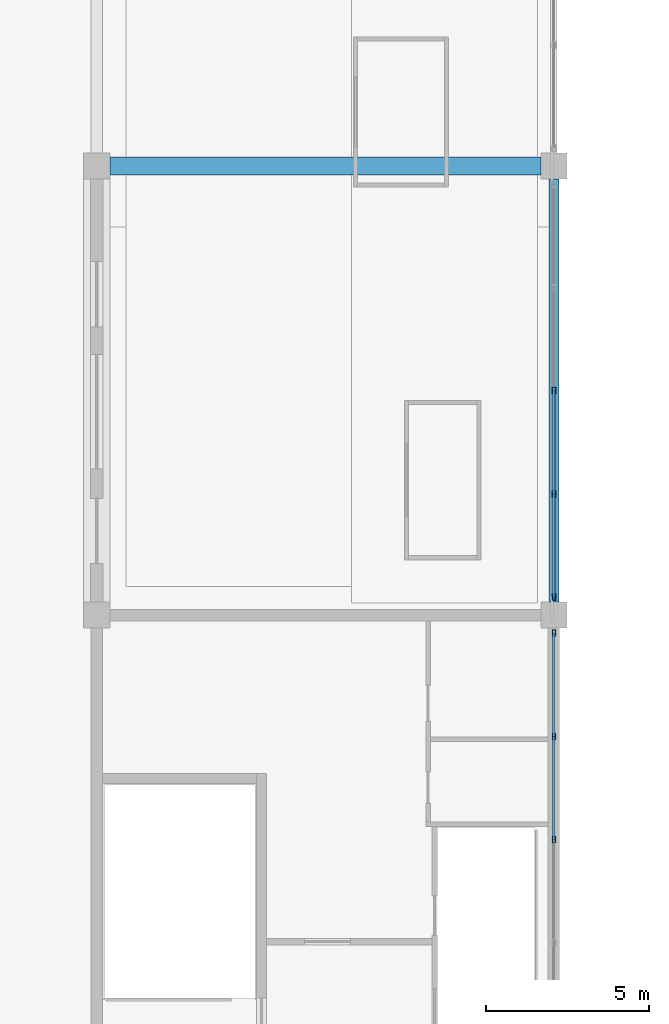
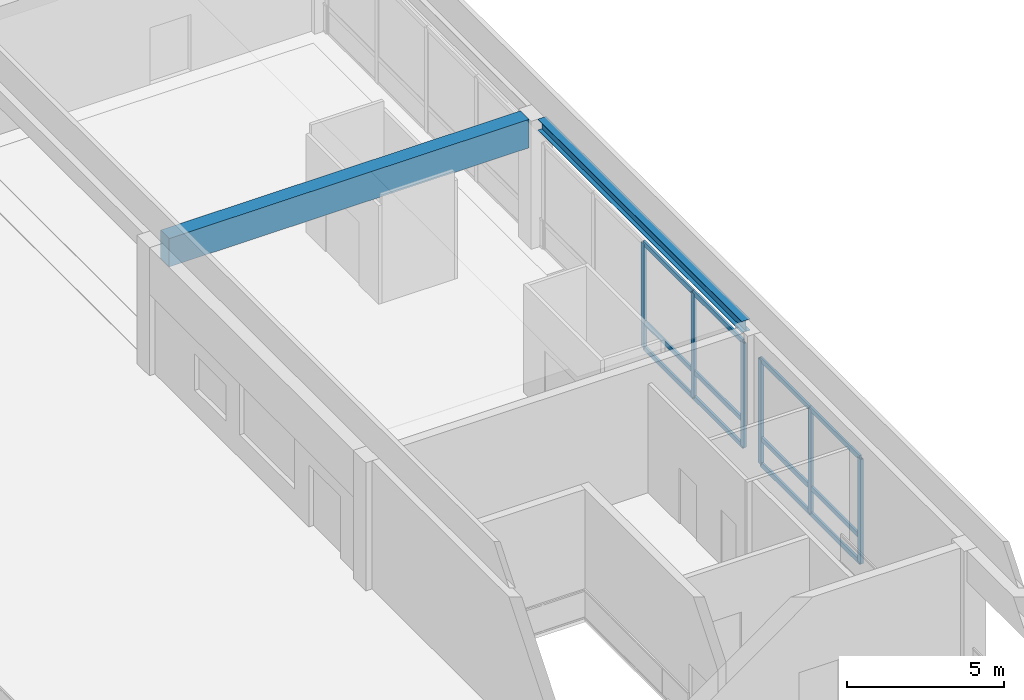
# One storey, part 16 of 113: 18 members, 2 beams, 2 elements without a shape of their own.
"""IFC4 building model written with IfcOpenShell, lengths in metres."""

import ifcopenshell
import ifcopenshell.guid

model = None  # the IFC model being written
_history = None  # IfcOwnerHistory: only IFC2X3 demands one
_inside = {}  # id of a spatial element -> (the spatial element, [elements in it])
_under = {}  # id of a project, library or spatial element -> (it, [spatial elements below it])
_declared = {}  # id of a project -> (the project, [libraries it declares])
_typed = {}  # id of a type object -> (the type object, [elements of that type])
_made_of = {}  # id of a material, layer set ... -> (it, [elements and type objects made of it])


def new_model(schema):
    """Start an empty IFC model of exactly this schema.

    Asked for "IFC4X3", IfcOpenShell would pick the latest addendum, in which some entities
    have other attributes; the version numbers below select the first issue.
    IFC2X3 requires an IfcOwnerHistory on every rooted entity: one is made here for all.
    """
    global model, _history
    if schema == "IFC4X3":
        model = ifcopenshell.file(schema_version=(4, 3, 0, 0))
    else:
        model = ifcopenshell.file(schema=schema)
    _inside.clear()
    _under.clear()
    _declared.clear()
    _typed.clear()
    _made_of.clear()
    _history = None
    if model.schema == "IFC2X3":
        org = make("IfcOrganization", Name="unknown")
        user = make(
            "IfcPersonAndOrganization",
            ThePerson=make("IfcPerson", FamilyName="unknown"),
            TheOrganization=org,
        )
        app = make(
            "IfcApplication",
            ApplicationDeveloper=org,
            Version="unknown",
            ApplicationFullName="unknown",
            ApplicationIdentifier="unknown",
        )
        _history = make(
            "IfcOwnerHistory",
            OwningUser=user,
            OwningApplication=app,
            ChangeAction="ADDED",
            CreationDate=0,
        )
    return model


def make(cls, **values):
    """One entity of the class cls with the attributes given. An attribute that is None is left unset."""
    return model.create_entity(
        cls, **{name: value for name, value in values.items() if value is not None}
    )


def rooted(cls, **values):
    """An entity with a GlobalId (a new one), such as an element, a storey or a relation."""
    return make(cls, GlobalId=ifcopenshell.guid.new(), OwnerHistory=_history, **values)


def si_unit(unit_type, name, prefix=None):
    """IfcSIUnit, for example si_unit("LENGTHUNIT", "METRE", prefix="MILLI")."""
    return make("IfcSIUnit", UnitType=unit_type, Prefix=prefix, Name=name)


def assignment(units):
    """IfcUnitAssignment: the units of a project."""
    return None if units is None else make("IfcUnitAssignment", Units=units)


def point(xyz):
    """IfcCartesianPoint."""
    return None if xyz is None else make("IfcCartesianPoint", Coordinates=xyz)


def direction(xyz):
    """IfcDirection."""
    return None if xyz is None else make("IfcDirection", DirectionRatios=xyz)


def frame(location, z_axis=None, x_axis=None):
    """IfcAxis2Placement3D, a coordinate frame: its origin and axes. An axis left out is left unset."""
    return make(
        "IfcAxis2Placement3D",
        Location=point(location),
        Axis=direction(z_axis),
        RefDirection=direction(x_axis),
    )


def frame_2d(location, x_axis=None):
    """IfcAxis2Placement2D, a coordinate frame in the plane: its origin and x axis."""
    return make(
        "IfcAxis2Placement2D", Location=point(location), RefDirection=direction(x_axis)
    )


def origin():
    """The frame at (0, 0, 0) with its axes left unset."""
    return frame((0.0, 0.0, 0.0))


def origin_2d():
    """The frame at (0, 0) in the plane with its x axis left unset."""
    return frame_2d((0.0, 0.0))


def place(relative_to, where):
    """IfcLocalPlacement: puts the frame where relative to a parent placement (None: the world)."""
    return make(
        "IfcLocalPlacement", PlacementRelTo=relative_to, RelativePlacement=where
    )


def context(
    kind, dimensions, precision=None, world=None, true_north=None, identifier=None
):
    """IfcGeometricRepresentationContext, for example the 3D "Model" context."""
    return make(
        "IfcGeometricRepresentationContext",
        ContextIdentifier=identifier,
        ContextType=kind,
        CoordinateSpaceDimension=dimensions,
        Precision=precision,
        WorldCoordinateSystem=world,
        TrueNorth=true_north,
    )


def subcontext(parent, identifier, kind, view, scale=None):
    """IfcGeometricRepresentationSubContext, for example "Body" below "Model"."""
    return make(
        "IfcGeometricRepresentationSubContext",
        ContextIdentifier=identifier,
        ContextType=kind,
        ParentContext=parent,
        TargetScale=scale,
        TargetView=view,
    )


def project(units=None, contexts=None):
    """IfcProject with its units and contexts."""
    return rooted(
        "IfcProject",
        Name="project",
        RepresentationContexts=contexts,
        UnitsInContext=assignment(units),
    )


def spatial(cls, under=None, at=None, **own):
    """A site, building, storey or space (cls), placed at a placement, below another one or the project."""
    s = rooted(cls, ObjectPlacement=at, **own)
    if under is not None:
        _under.setdefault(under.id(), (under, []))[1].append(s)
    return s


def profile(cls, at=None, kind="AREA", **sizes):
    """A parametric profile (cls). Its sizes go by their IFC names, for example OverallWidth=200.0."""
    return make(cls, ProfileType=kind, Position=at, **sizes)


def rectangle(**sizes):
    """IfcRectangleProfileDef."""
    return profile("IfcRectangleProfileDef", **sizes)


def hollow_rectangle(**sizes):
    """IfcRectangleHollowProfileDef."""
    return profile("IfcRectangleHollowProfileDef", **sizes)


def i_section(**sizes):
    """IfcIShapeProfileDef."""
    return profile("IfcIShapeProfileDef", **sizes)


def extrude(swept, where, along, depth):
    """IfcExtrudedAreaSolid: the profile swept, set in the frame where, extruded along a direction by depth."""
    return make(
        "IfcExtrudedAreaSolid",
        SweptArea=swept,
        Position=where,
        ExtrudedDirection=direction(along),
        Depth=depth,
    )


def shape(context_of_items, identifier, shape_type, items):
    """IfcShapeRepresentation: the items that make up one representation, for example the "Body"."""
    return make(
        "IfcShapeRepresentation",
        ContextOfItems=context_of_items,
        RepresentationIdentifier=identifier,
        RepresentationType=shape_type,
        Items=items,
    )


def material(Name=None, Category=None):
    """IfcMaterial."""
    return make("IfcMaterial", Name=Name, Category=Category)


def material_profile(
    of_material, cross_section, Name=None, Category=None, Priority=None
):
    """IfcMaterialProfile: a cross section and its material."""
    return make(
        "IfcMaterialProfile",
        Name=Name,
        Material=of_material,
        Profile=cross_section,
        Priority=Priority,
        Category=Category,
    )


def profile_set(profiles, Name=None, composite=None):
    """IfcMaterialProfileSet."""
    return make(
        "IfcMaterialProfileSet",
        Name=Name,
        MaterialProfiles=profiles,
        CompositeProfile=composite,
    )


def made_of(thing, what):
    """Note that an element or type object is made of a material, layer set ...; save() writes the relation."""
    if what is not None:
        _made_of.setdefault(what.id(), (what, []))[1].append(thing)
    return thing


def type_object(cls, material=None, **own):
    """A type object (cls), such as IfcWallType, which elements share."""
    return made_of(rooted(cls, **own), material)


def element(
    cls,
    number,
    at=None,
    inside=None,
    cuts=None,
    type_object=None,
    material=None,
    context=None,
    identifier="Body",
    shape_type=None,
    held_by="IfcProductDefinitionShape",
    body=None,
    shapes=None,
    **own,
):
    """One element of the class cls, such as IfcWall. Its Tag is "e" and its number.

    at: its placement. inside: the storey or other place that contains it. cuts: it is an
    opening in that element (IfcRelVoidsElement). A single representation is given by context,
    identifier, shape_type and body (its items); several are given by shapes. held_by: the class
    of the entity that holds the representations. save() writes the other relations.
    """
    e = rooted(cls, Tag="e%d" % number, ObjectPlacement=at, **own)
    if body is not None:
        shapes = [shape(context, identifier, shape_type, body)]
    if shapes is not None:
        e.Representation = make(held_by, Representations=shapes)
    if inside is not None:
        _inside.setdefault(inside.id(), (inside, []))[1].append(e)
    if cuts is not None:
        rooted(
            "IfcRelVoidsElement", RelatingBuildingElement=cuts, RelatedOpeningElement=e
        )
    if type_object is not None:
        _typed.setdefault(type_object.id(), (type_object, []))[1].append(e)
    return made_of(e, material)


def aggregate(whole, parts):
    """IfcRelAggregates: a whole, such as a stair, and the parts it consists of."""
    return rooted("IfcRelAggregates", RelatingObject=whole, RelatedObjects=parts)


def save(model, path):
    """Write the relations noted so far, then the file.

    IfcRelAggregates (storeys below a building ...), IfcRelContainedInSpatialStructure (elements
    in a storey), IfcRelDefinesByType, IfcRelAssociatesMaterial and IfcRelDeclares: one each for
    every whole, place, type object, material and project.
    """
    for whole, parts in _under.values():
        aggregate(whole, parts)
    for where, things in _inside.values():
        rooted(
            "IfcRelContainedInSpatialStructure",
            RelatedElements=things,
            RelatingStructure=where,
        )
    for kind, things in _typed.values():
        rooted("IfcRelDefinesByType", RelatedObjects=things, RelatingType=kind)
    for what, things in _made_of.values():
        rooted("IfcRelAssociatesMaterial", RelatedObjects=things, RelatingMaterial=what)
    for by, libraries in _declared.values():
        rooted("IfcRelDeclares", RelatingContext=by, RelatedDefinitions=libraries)
    model.write(path)


model = new_model("IFC4")

# Units and contexts
model_context = context("Model", 3, precision=1e-05, world=origin(), true_north=direction((0.0, 1.0)))
body_context = subcontext(model_context, "Body", "Model", "MODEL_VIEW")
ifc_project = project(units=[si_unit("LENGTHUNIT", "METRE"), si_unit("AREAUNIT", "SQUARE_METRE"), si_unit("VOLUMEUNIT", "CUBIC_METRE"), si_unit("PLANEANGLEUNIT", "RADIAN"), si_unit("MASSUNIT", "GRAM", prefix="KILO")], contexts=[model_context])

# Site, building, storey
site_placement = place(None, origin())
site = spatial("IfcSite", under=ifc_project, at=site_placement, CompositionType="ELEMENT")
building_placement = place(site_placement, origin())
building = spatial("IfcBuilding", under=site, at=building_placement, Name="Linyun Crest Stadium", CompositionType="ELEMENT")
storey_placement = place(building_placement, frame((0.0, 0.0, 26.39990234375)))
storey = spatial("IfcBuildingStorey", under=building, at=storey_placement, Name="L06", CompositionType="ELEMENT", Elevation=26.39990234375)

# Beam
ifc_material_1 = material(Name="Steel Q355C", Category="steel")
ifc_material_profile_1 = material_profile(ifc_material_1, i_section(OverallWidth=0.300048828125, OverallDepth=0.43994140625, WebThickness=0.010986328125, FlangeThickness=0.01806640625, at=origin_2d()), Name="HM 440x300")
ifc_profile_set_1 = profile_set([ifc_material_profile_1], Name="Steel Q355C")
beam_type_1 = type_object("IfcBeamType", Name="B07", PredefinedType="BEAM", material=ifc_profile_set_1)
beam_1_placement = place(storey_placement, frame((-70.0, -24.97509765625, 4.7451171875), z_axis=(0.0, 1.0, 0.0), x_axis=(-1.0, 0.0, 0.0)))
element("IfcBeam", 1, at=beam_1_placement, inside=storey, type_object=beam_type_1, Name="Frame beam B07 L06 377", PredefinedType="BEAM", context=body_context, shape_type="SweptSolid", body=[
    extrude(i_section(OverallWidth=0.300048828125, OverallDepth=0.43994140625, WebThickness=0.010986328125, FlangeThickness=0.01806640625, at=origin_2d()), origin(), (0.0, 0.0, 1.0), 12.9501953125),
])

# Curtain wall, members
ifc_material_2 = material(Name="Verdigris steel and low-E curtain wall assembly", Category="steel")
curtain_wall_type = type_object("IfcCurtainWallType", Name="MCW06", PredefinedType="NOTDEFINED", material=ifc_material_2)
curtain_wall_1_placement = place(storey_placement, origin())
curtain_wall_1 = element("IfcCurtainWall", 2, at=curtain_wall_1_placement, inside=storey, type_object=curtain_wall_type, Name="CWR-077", PredefinedType="NOTDEFINED")
ifc_material_3 = material(Name="Verdigris painted steel Q355C mullion", Category="steel")
ifc_material_profile_2 = material_profile(ifc_material_3, hollow_rectangle(XDim=0.10009765625, YDim=0.199951171875, WallThickness=0.008056640625, at=origin_2d()), Name="RHS 200x100x8")
ifc_profile_set_2 = profile_set([ifc_material_profile_2], Name="Verdigris painted steel Q355C mullion")
member_type_1 = type_object("IfcMemberType", Name="ML03", PredefinedType="MULLION", material=ifc_profile_set_2)
member_1_placement = place(storey_placement, frame((-70.0, -32.25, 0.0), z_axis=(0.0, 0.0, 1.0), x_axis=(-1.0, 0.0, 0.0)))
member_1 = element("IfcMember", 3, at=member_1_placement, type_object=member_type_1, Name="CWR-077 mullion 3", PredefinedType="MULLION", context=body_context, shape_type="SweptSolid", body=[
    extrude(hollow_rectangle(XDim=0.10009765625, YDim=0.199951171875, WallThickness=0.008056640625, at=origin_2d()), origin(), (0.0, 0.0, 1.0), 4.050048828125),
])
member_2_placement = place(storey_placement, frame((-70.0, -29.087890625, 0.0), z_axis=(0.0, 0.0, 1.0), x_axis=(-1.0, 0.0, 0.0)))
member_2 = element("IfcMember", 4, at=member_2_placement, type_object=member_type_1, Name="CWR-077 mullion 4", PredefinedType="MULLION", context=body_context, shape_type="SweptSolid", body=[
    extrude(hollow_rectangle(XDim=0.10009765625, YDim=0.199951171875, WallThickness=0.008056640625, at=origin_2d()), origin(), (0.0, 0.0, 1.0), 4.050048828125),
])
member_3_placement = place(storey_placement, frame((-70.0, -25.925048828125, 0.0), z_axis=(0.0, 0.0, 1.0), x_axis=(-1.0, 0.0, 0.0)))
member_3 = element("IfcMember", 5, at=member_3_placement, type_object=member_type_1, Name="CWR-077 mullion 5", PredefinedType="MULLION", context=body_context, shape_type="SweptSolid", body=[
    extrude(hollow_rectangle(XDim=0.10009765625, YDim=0.199951171875, WallThickness=0.008056640625, at=origin_2d()), origin(), (0.0, 0.0, 1.0), 4.050048828125),
])

curtain_wall_2_placement = place(storey_placement, origin())
curtain_wall_2 = element("IfcCurtainWall", 6, at=curtain_wall_2_placement, inside=storey, type_object=curtain_wall_type, Name="CWR-086", PredefinedType="NOTDEFINED")
member_4_placement = place(storey_placement, frame((-70.0, -24.824951171875, 0.0), z_axis=(0.0, 0.0, 1.0), x_axis=(-1.0, 0.0, 0.0)))
member_4 = element("IfcMember", 7, at=member_4_placement, type_object=member_type_1, Name="CWR-086 mullion 1", PredefinedType="MULLION", context=body_context, shape_type="SweptSolid", body=[
    extrude(hollow_rectangle(XDim=0.10009765625, YDim=0.199951171875, WallThickness=0.008056640625, at=origin_2d()), origin(), (0.0, 0.0, 1.0), 4.050048828125),
])
member_5_placement = place(storey_placement, frame((-70.0, -21.662109375, 0.0), z_axis=(0.0, 0.0, 1.0), x_axis=(-1.0, 0.0, 0.0)))
member_5 = element("IfcMember", 8, at=member_5_placement, type_object=member_type_1, Name="CWR-086 mullion 2", PredefinedType="MULLION", context=body_context, shape_type="SweptSolid", body=[
    extrude(hollow_rectangle(XDim=0.10009765625, YDim=0.199951171875, WallThickness=0.008056640625, at=origin_2d()), origin(), (0.0, 0.0, 1.0), 4.050048828125),
])
member_6_placement = place(storey_placement, frame((-70.0, -18.5, 0.0), z_axis=(0.0, 0.0, 1.0), x_axis=(-1.0, 0.0, 0.0)))
member_6 = element("IfcMember", 9, at=member_6_placement, type_object=member_type_1, Name="CWR-086 mullion 3", PredefinedType="MULLION", context=body_context, shape_type="SweptSolid", body=[
    extrude(hollow_rectangle(XDim=0.10009765625, YDim=0.199951171875, WallThickness=0.008056640625, at=origin_2d()), origin(), (0.0, 0.0, 1.0), 4.050048828125),
])

# Beam
ifc_material_4 = material(Name="Concrete C50", Category="concrete")
ifc_material_profile_3 = material_profile(ifc_material_4, rectangle(XDim=0.550048828125, YDim=1.10009765625, at=origin_2d()), Name="RCB 1100x550")
ifc_profile_set_3 = profile_set([ifc_material_profile_3], Name="Concrete C50")
beam_type_2 = type_object("IfcBeamType", Name="TB01", PredefinedType="USERDEFINED", material=ifc_profile_set_3)
beam_2_placement = place(storey_placement, frame((-83.60009765625, -11.625, 4.4150390625), z_axis=(1.0, 0.0, 0.0), x_axis=(0.0, 1.0, 0.0)))
element("IfcBeam", 10, at=beam_2_placement, inside=storey, type_object=beam_type_2, Name="Frame beam TB01 L06 370", ObjectType="GIRDER", PredefinedType="USERDEFINED", context=body_context, shape_type="SweptSolid", body=[
    extrude(rectangle(XDim=0.550048828125, YDim=1.10009765625, at=origin_2d()), origin(), (0.0, 0.0, 1.0), 13.2001953125),
])

# Member
ifc_material_5 = material(Name="Verdigris painted steel Q355B transom", Category="steel")
ifc_material_profile_4 = material_profile(ifc_material_5, hollow_rectangle(XDim=0.080078125, YDim=0.179931640625, WallThickness=0.006103515625, at=origin_2d()), Name="RHS 180x80x6")
ifc_profile_set_4 = profile_set([ifc_material_profile_4], Name="Verdigris painted steel Q355B transom")
member_type_2 = type_object("IfcMemberType", Name="TR02", PredefinedType="USERDEFINED", material=ifc_profile_set_4)
member_7_placement = place(storey_placement, frame((-70.0, -32.25, 0.0), z_axis=(0.0, 1.0, 0.0), x_axis=(-1.0, 0.0, 0.0)))
member_7 = element("IfcMember", 11, at=member_7_placement, type_object=member_type_2, Name="CWR-077 transom 3.1", ObjectType="TRANSOM", PredefinedType="USERDEFINED", context=body_context, shape_type="SweptSolid", body=[
    extrude(hollow_rectangle(XDim=0.080078125, YDim=0.179931640625, WallThickness=0.006103515625, at=origin_2d()), origin(), (0.0, 0.0, 1.0), 3.162109375),
])

member_8_placement = place(storey_placement, frame((-70.0, -32.25, 1.0), z_axis=(0.0, 1.0, 0.0), x_axis=(-1.0, 0.0, 0.0)))
member_8 = element("IfcMember", 12, at=member_8_placement, type_object=member_type_2, Name="CWR-077 transom 3.2", ObjectType="TRANSOM", PredefinedType="USERDEFINED", context=body_context, shape_type="SweptSolid", body=[
    extrude(hollow_rectangle(XDim=0.080078125, YDim=0.179931640625, WallThickness=0.006103515625, at=origin_2d()), origin(), (0.0, 0.0, 1.0), 3.162109375),
])

member_9_placement = place(storey_placement, frame((-70.0, -32.25, 4.050048828125), z_axis=(0.0, 1.0, 0.0), x_axis=(-1.0, 0.0, 0.0)))
member_9 = element("IfcMember", 13, at=member_9_placement, type_object=member_type_2, Name="CWR-077 transom 3.3", ObjectType="TRANSOM", PredefinedType="USERDEFINED", context=body_context, shape_type="SweptSolid", body=[
    extrude(hollow_rectangle(XDim=0.080078125, YDim=0.179931640625, WallThickness=0.006103515625, at=origin_2d()), origin(), (0.0, 0.0, 1.0), 3.162109375),
])

member_10_placement = place(storey_placement, frame((-70.0, -29.087890625, 0.0), z_axis=(0.0, 1.0, 0.0), x_axis=(-1.0, 0.0, 0.0)))
member_10 = element("IfcMember", 14, at=member_10_placement, type_object=member_type_2, Name="CWR-077 transom 4.1", ObjectType="TRANSOM", PredefinedType="USERDEFINED", context=body_context, shape_type="SweptSolid", body=[
    extrude(hollow_rectangle(XDim=0.080078125, YDim=0.179931640625, WallThickness=0.006103515625, at=origin_2d()), origin(), (0.0, 0.0, 1.0), 3.162841796875),
])

member_11_placement = place(storey_placement, frame((-70.0, -29.087890625, 1.0), z_axis=(0.0, 1.0, 0.0), x_axis=(-1.0, 0.0, 0.0)))
member_11 = element("IfcMember", 15, at=member_11_placement, type_object=member_type_2, Name="CWR-077 transom 4.2", ObjectType="TRANSOM", PredefinedType="USERDEFINED", context=body_context, shape_type="SweptSolid", body=[
    extrude(hollow_rectangle(XDim=0.080078125, YDim=0.179931640625, WallThickness=0.006103515625, at=origin_2d()), origin(), (0.0, 0.0, 1.0), 3.162841796875),
])

member_12_placement = place(storey_placement, frame((-70.0, -29.087890625, 4.050048828125), z_axis=(0.0, 1.0, 0.0), x_axis=(-1.0, 0.0, 0.0)))
member_12 = element("IfcMember", 16, at=member_12_placement, type_object=member_type_2, Name="CWR-077 transom 4.3", ObjectType="TRANSOM", PredefinedType="USERDEFINED", context=body_context, shape_type="SweptSolid", body=[
    extrude(hollow_rectangle(XDim=0.080078125, YDim=0.179931640625, WallThickness=0.006103515625, at=origin_2d()), origin(), (0.0, 0.0, 1.0), 3.162841796875),
])

aggregate(curtain_wall_1, [member_1, member_2, member_3, member_7, member_8, member_9, member_10, member_11, member_12])

member_13_placement = place(storey_placement, frame((-70.0, -24.824951171875, 0.0), z_axis=(0.0, 1.0, 0.0), x_axis=(-1.0, 0.0, 0.0)))
member_13 = element("IfcMember", 17, at=member_13_placement, type_object=member_type_2, Name="CWR-086 transom 1.1", ObjectType="TRANSOM", PredefinedType="USERDEFINED", context=body_context, shape_type="SweptSolid", body=[
    extrude(hollow_rectangle(XDim=0.080078125, YDim=0.179931640625, WallThickness=0.006103515625, at=origin_2d()), origin(), (0.0, 0.0, 1.0), 3.162841796875),
])

member_14_placement = place(storey_placement, frame((-70.0, -24.824951171875, 1.0), z_axis=(0.0, 1.0, 0.0), x_axis=(-1.0, 0.0, 0.0)))
member_14 = element("IfcMember", 18, at=member_14_placement, type_object=member_type_2, Name="CWR-086 transom 1.2", ObjectType="TRANSOM", PredefinedType="USERDEFINED", context=body_context, shape_type="SweptSolid", body=[
    extrude(hollow_rectangle(XDim=0.080078125, YDim=0.179931640625, WallThickness=0.006103515625, at=origin_2d()), origin(), (0.0, 0.0, 1.0), 3.162841796875),
])

member_15_placement = place(storey_placement, frame((-70.0, -24.824951171875, 4.050048828125), z_axis=(0.0, 1.0, 0.0), x_axis=(-1.0, 0.0, 0.0)))
member_15 = element("IfcMember", 19, at=member_15_placement, type_object=member_type_2, Name="CWR-086 transom 1.3", ObjectType="TRANSOM", PredefinedType="USERDEFINED", context=body_context, shape_type="SweptSolid", body=[
    extrude(hollow_rectangle(XDim=0.080078125, YDim=0.179931640625, WallThickness=0.006103515625, at=origin_2d()), origin(), (0.0, 0.0, 1.0), 3.162841796875),
])

member_16_placement = place(storey_placement, frame((-70.0, -21.662109375, 0.0), z_axis=(0.0, 1.0, 0.0), x_axis=(-1.0, 0.0, 0.0)))
member_16 = element("IfcMember", 20, at=member_16_placement, type_object=member_type_2, Name="CWR-086 transom 2.1", ObjectType="TRANSOM", PredefinedType="USERDEFINED", context=body_context, shape_type="SweptSolid", body=[
    extrude(hollow_rectangle(XDim=0.080078125, YDim=0.179931640625, WallThickness=0.006103515625, at=origin_2d()), origin(), (0.0, 0.0, 1.0), 3.162109375),
])

member_17_placement = place(storey_placement, frame((-70.0, -21.662109375, 1.0), z_axis=(0.0, 1.0, 0.0), x_axis=(-1.0, 0.0, 0.0)))
member_17 = element("IfcMember", 21, at=member_17_placement, type_object=member_type_2, Name="CWR-086 transom 2.2", ObjectType="TRANSOM", PredefinedType="USERDEFINED", context=body_context, shape_type="SweptSolid", body=[
    extrude(hollow_rectangle(XDim=0.080078125, YDim=0.179931640625, WallThickness=0.006103515625, at=origin_2d()), origin(), (0.0, 0.0, 1.0), 3.162109375),
])

member_18_placement = place(storey_placement, frame((-70.0, -21.662109375, 4.050048828125), z_axis=(0.0, 1.0, 0.0), x_axis=(-1.0, 0.0, 0.0)))
member_18 = element("IfcMember", 22, at=member_18_placement, type_object=member_type_2, Name="CWR-086 transom 2.3", ObjectType="TRANSOM", PredefinedType="USERDEFINED", context=body_context, shape_type="SweptSolid", body=[
    extrude(hollow_rectangle(XDim=0.080078125, YDim=0.179931640625, WallThickness=0.006103515625, at=origin_2d()), origin(), (0.0, 0.0, 1.0), 3.162109375),
])

aggregate(curtain_wall_2, [member_4, member_5, member_6, member_13, member_14, member_15, member_16, member_17, member_18])

save(model, "model.ifc")
